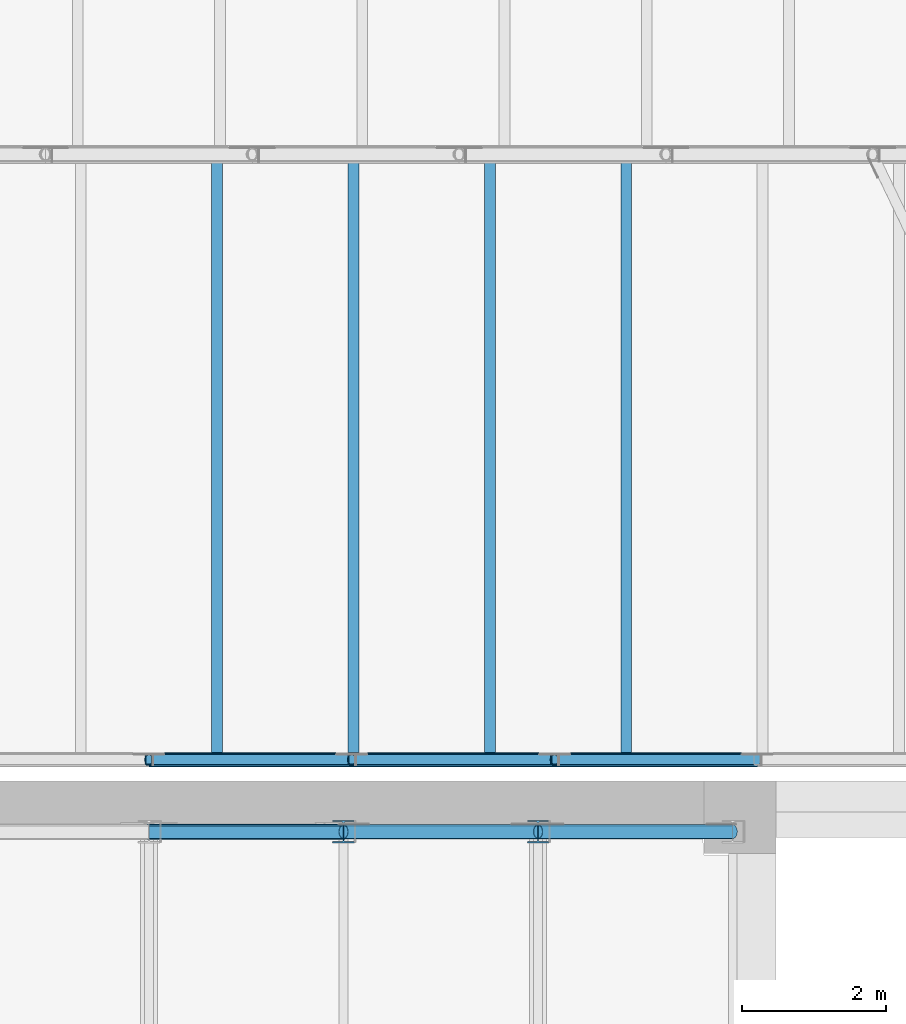
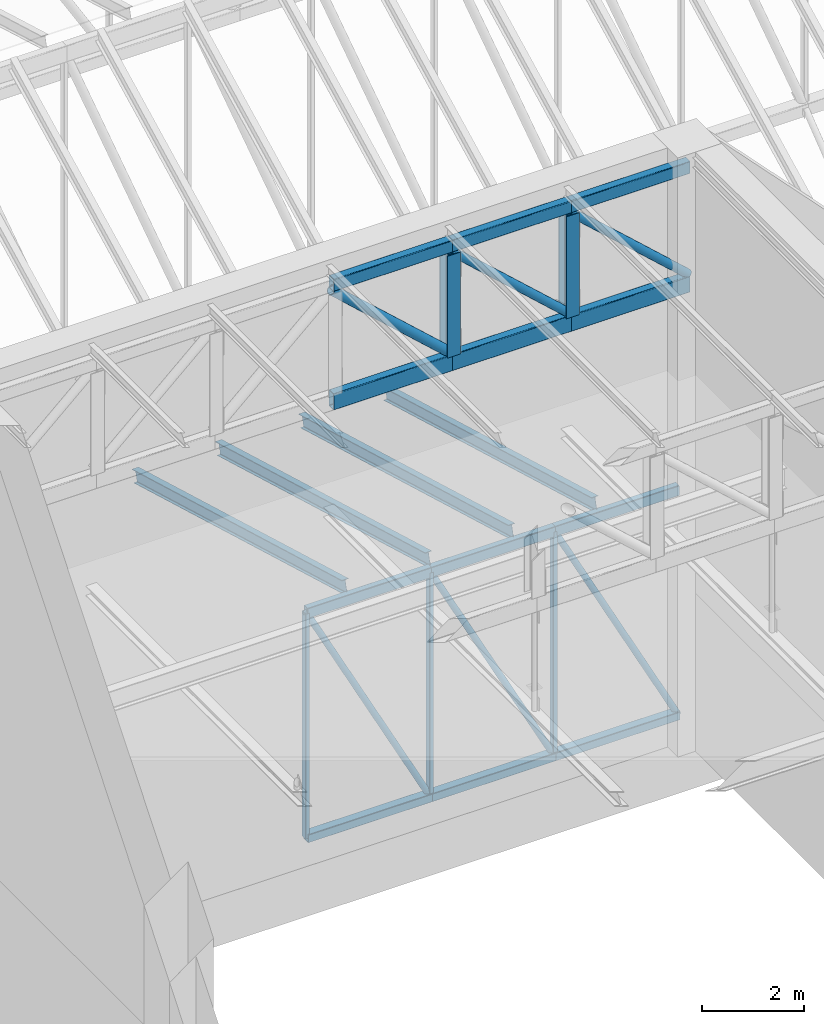
# One storey, part 12 of 68: 15 members, 12 beams.
"""IFC4 building model written with IfcOpenShell, lengths in metres."""

from ifc_helpers import new_model, si_unit, direction, frame, origin, origin_2d, place, context, subcontext, project, spatial, hollow_rectangle, hollow_circle, i_section, extrude, material, material_profile, profile_set, type_object, element, save


model = new_model("IFC4")

# Units and contexts
model_context = context("Model", 3, precision=1e-05, world=origin(), true_north=direction((0.0, 1.0)))
body_context = subcontext(model_context, "Body", "Model", "MODEL_VIEW")
ifc_project = project(units=[si_unit("LENGTHUNIT", "METRE"), si_unit("AREAUNIT", "SQUARE_METRE"), si_unit("VOLUMEUNIT", "CUBIC_METRE"), si_unit("PLANEANGLEUNIT", "RADIAN"), si_unit("MASSUNIT", "GRAM", prefix="KILO")], contexts=[model_context])

# Site, building, storey
site_placement = place(None, origin())
site = spatial("IfcSite", under=ifc_project, at=site_placement, CompositionType="ELEMENT")
building_placement = place(site_placement, origin())
building = spatial("IfcBuilding", under=site, at=building_placement, Name="Larchfold Concert Hall", CompositionType="ELEMENT")
storey_placement = place(building_placement, frame((0.0, 0.0, 28.800048828125)))
storey = spatial("IfcBuildingStorey", under=building, at=storey_placement, Name="L06", CompositionType="ELEMENT", Elevation=28.800048828125)

# Members
ifc_material_1 = material(Name="Steel S355", Category="steel")
ifc_material_profile_1 = material_profile(ifc_material_1, i_section(OverallWidth=0.14990234375, OverallDepth=0.300048828125, WebThickness=0.007080078125, FlangeThickness=0.0107421875, FilletRadius=0.014892578125, at=origin_2d()))
ifc_profile_set_1 = profile_set([ifc_material_profile_1], Name="Steel S355")
member_type_1 = type_object("IfcMemberType", Name="Rafter IPE 300", PredefinedType="RAFTER", material=ifc_profile_set_1)
for number, where, z_axis, x_axis, name in (
    (1, (43.54638671875, 60.054931640625, 5.646240234375), (0.0, 0.962273331526, -0.272084610799), (-1.0, 0.0, 0.0), "Member RF0010"),
    (2, (45.43896484375, 60.054931640625, 5.646240234375), (0.0, 0.962273331526, -0.272084610799), (-1.0, 0.0, 0.0), "Member RF0011"),
    (3, (47.331298828125, 60.054931640625, 5.646240234375), (0.0, 0.962273331526, -0.272084610799), (-1.0, 0.0, 0.0), "Member RF0012"),
    (4, (49.223876953125, 60.054931640625, 5.646240234375), (0.0, 0.962273331526, -0.272084610799), (-1.0, 0.0, 0.0), "Member RF0013"),
):
    element("IfcMember", number, at=place(storey_placement, frame(where, z_axis=z_axis, x_axis=x_axis)), inside=storey, type_object=member_type_1, Name=name, PredefinedType="RAFTER", context=body_context, shape_type="SweptSolid", body=[
        extrude(i_section(OverallWidth=0.14990234375, OverallDepth=0.300048828125, WebThickness=0.007080078125, FlangeThickness=0.0107421875, FilletRadius=0.014892578125, at=origin_2d()), origin(), (0.0, 0.0, 1.0), 8.5888671875),
    ])

# Beams
ifc_material_2 = material(Name="Steel S355J2H", Category="steel")
ifc_material_profile_2 = material_profile(ifc_material_2, hollow_rectangle(XDim=0.14990234375, YDim=0.25, WallThickness=0.010009765625, InnerFilletRadius=0.010009765625, OuterFilletRadius=0.02001953125, at=origin_2d()))
ifc_profile_set_2 = profile_set([ifc_material_profile_2], Name="Steel S355J2H")
beam_type_1 = type_object("IfcBeamType", Name="Truss chord RHS 250x150x10", PredefinedType="BEAM", material=ifc_profile_set_2)
for number, where, z_axis, x_axis, name in (
    (5, (42.60009765625, 60.0, 5.39990234375), (1.0, 0.0, 0.0), (0.0, 1.0, 0.0), "Beam FT1T07"),
    (6, (45.41455078125, 60.0, 5.39990234375), (1.0, 0.0, 0.0), (0.0, 1.0, 0.0), "Beam FT1T08"),
    (7, (48.22900390625, 60.0, 5.39990234375), (1.0, 0.0, 0.0), (0.0, 1.0, 0.0), "Beam FT1T09"),
):
    element("IfcBeam", number, at=place(storey_placement, frame(where, z_axis=z_axis, x_axis=x_axis)), inside=storey, type_object=beam_type_1, Name=name, PredefinedType="BEAM", context=body_context, shape_type="SweptSolid", body=[
        extrude(hollow_rectangle(XDim=0.14990234375, YDim=0.25, WallThickness=0.010009765625, InnerFilletRadius=0.010009765625, OuterFilletRadius=0.02001953125, at=origin_2d()), origin(), (0.0, 0.0, 1.0), 2.814453125),
    ])
ifc_material_3 = material(Name="Steel S355J2H", Category="steel")
ifc_material_profile_3 = material_profile(ifc_material_3, hollow_rectangle(XDim=0.199951171875, YDim=0.300048828125, WallThickness=0.012451171875, InnerFilletRadius=0.018798828125, OuterFilletRadius=0.03125, at=origin_2d()))
ifc_profile_set_3 = profile_set([ifc_material_profile_3], Name="Steel S355J2H")
beam_type_2 = type_object("IfcBeamType", Name="Truss chord RHS 300x200x12.5", PredefinedType="BEAM", material=ifc_profile_set_3)
for number, where, z_axis, x_axis, name in (
    (8, (42.60009765625, 59.0, 13.89990234375), (1.0, 0.0, 0.0), (0.0, 1.0, 0.0), "Beam SR4T04"),
    (9, (45.300048828125, 59.0, 13.89990234375), (1.0, 0.0, 0.0), (0.0, 1.0, 0.0), "Beam SR4T05"),
    (10, (48.0, 59.0, 13.89990234375), (1.0, 0.0, 0.0), (0.0, 1.0, 0.0), "Beam SR4T06"),
):
    element("IfcBeam", number, at=place(storey_placement, frame(where, z_axis=z_axis, x_axis=x_axis)), inside=storey, type_object=beam_type_2, Name=name, PredefinedType="BEAM", context=body_context, shape_type="SweptSolid", body=[
        extrude(hollow_rectangle(XDim=0.199951171875, YDim=0.300048828125, WallThickness=0.012451171875, InnerFilletRadius=0.018798828125, OuterFilletRadius=0.03125, at=origin_2d()), origin(), (0.0, 0.0, 1.0), 2.699951171875),
    ])
ifc_material_4 = material(Name="Steel S355J2H", Category="steel")
ifc_material_profile_4 = material_profile(ifc_material_4, hollow_rectangle(XDim=0.199951171875, YDim=0.39990234375, WallThickness=0.012451171875, InnerFilletRadius=0.018798828125, OuterFilletRadius=0.03125, at=origin_2d()))
ifc_profile_set_4 = profile_set([ifc_material_profile_4], Name="Steel S355J2H")
beam_type_3 = type_object("IfcBeamType", Name="Truss chord RHS 400x200x12.5", PredefinedType="BEAM", material=ifc_profile_set_4)
for number, where, z_axis, x_axis, name in (
    (11, (42.60009765625, 59.0, 11.099853515625), (1.0, 0.0, 0.0), (0.0, 1.0, 0.0), "Beam SR4B04"),
    (12, (45.300048828125, 59.0, 11.099853515625), (1.0, 0.0, 0.0), (0.0, 1.0, 0.0), "Beam SR4B05"),
    (13, (48.0, 59.0, 11.099853515625), (1.0, 0.0, 0.0), (0.0, 1.0, 0.0), "Beam SR4B06"),
):
    element("IfcBeam", number, at=place(storey_placement, frame(where, z_axis=z_axis, x_axis=x_axis)), inside=storey, type_object=beam_type_3, Name=name, PredefinedType="BEAM", context=body_context, shape_type="SweptSolid", body=[
        extrude(hollow_rectangle(XDim=0.199951171875, YDim=0.39990234375, WallThickness=0.012451171875, InnerFilletRadius=0.018798828125, OuterFilletRadius=0.03125, at=origin_2d()), origin(), (0.0, 0.0, 1.0), 2.699951171875),
    ])

# Members
ifc_material_5 = material(Name="Steel S355", Category="steel")
ifc_material_profile_5 = material_profile(ifc_material_5, i_section(OverallWidth=0.300048828125, OverallDepth=0.31005859375, WebThickness=0.009033203125, FlangeThickness=0.015380859375, FilletRadius=0.027099609375, at=origin_2d()))
ifc_profile_set_5 = profile_set([ifc_material_profile_5], Name="Steel S355")
member_type_2 = type_object("IfcMemberType", Name="Truss post HEA 320", PredefinedType="POST", material=ifc_profile_set_5)
for number, where, z_axis, x_axis, name in (
    (14, (45.300048828125, 59.0, 11.300048828125), (0.0, 0.0, 1.0), (1.0, 0.0, 0.0), "Member SR4V05"),
    (15, (48.0, 59.0, 11.300048828125), (0.0, 0.0, 1.0), (1.0, 0.0, 0.0), "Member SR4V06"),
):
    element("IfcMember", number, at=place(storey_placement, frame(where, z_axis=z_axis, x_axis=x_axis)), inside=storey, type_object=member_type_2, Name=name, PredefinedType="POST", context=body_context, shape_type="SweptSolid", body=[
        extrude(i_section(OverallWidth=0.300048828125, OverallDepth=0.31005859375, WebThickness=0.009033203125, FlangeThickness=0.015380859375, FilletRadius=0.027099609375, at=origin_2d()), origin(), (0.0, 0.0, 1.0), 2.449951171875),
    ])
ifc_material_6 = material(Name="Steel S355J2H", Category="steel")
ifc_material_profile_6 = material_profile(ifc_material_6, hollow_rectangle(XDim=0.10009765625, YDim=0.14990234375, WallThickness=0.008056640625, InnerFilletRadius=0.008056640625, OuterFilletRadius=0.01611328125, at=origin_2d()))
ifc_profile_set_6 = profile_set([ifc_material_profile_6], Name="Steel S355J2H")
member_type_3 = type_object("IfcMemberType", Name="Truss post RHS 150x100x8", PredefinedType="POST", material=ifc_profile_set_6)
for number, where, z_axis, x_axis, name in (
    (16, (42.60009765625, 60.0, 5.39990234375), (0.0, 0.0, -1.0), (1.0, 0.0, 0.0), "Member FT1V07"),
    (17, (45.41455078125, 60.0, 5.39990234375), (0.0, 0.0, -1.0), (1.0, 0.0, 0.0), "Member FT1V08"),
    (18, (48.22900390625, 60.0, 5.39990234375), (0.0, 0.0, -1.0), (1.0, 0.0, 0.0), "Member FT1V09"),
):
    element("IfcMember", number, at=place(storey_placement, frame(where, z_axis=z_axis, x_axis=x_axis)), inside=storey, type_object=member_type_3, Name=name, PredefinedType="POST", context=body_context, shape_type="SweptSolid", body=[
        extrude(hollow_rectangle(XDim=0.10009765625, YDim=0.14990234375, WallThickness=0.008056640625, InnerFilletRadius=0.008056640625, OuterFilletRadius=0.01611328125, at=origin_2d()), origin(), (0.0, 0.0, 1.0), 5.39990234375),
    ])

# Beams
ifc_material_7 = material(Name="Steel S355J2H", Category="steel")
ifc_material_profile_7 = material_profile(ifc_material_7, hollow_rectangle(XDim=0.199951171875, YDim=0.199951171875, WallThickness=0.010009765625, InnerFilletRadius=0.010009765625, OuterFilletRadius=0.02001953125, at=origin_2d()))
ifc_profile_set_7 = profile_set([ifc_material_profile_7], Name="Steel S355J2H")
beam_type_4 = type_object("IfcBeamType", Name="Truss tie SHS 200x200x10", PredefinedType="BEAM", material=ifc_profile_set_7)
for number, where, z_axis, x_axis, name in (
    (19, (42.60009765625, 60.0, 0.0), (1.0, 0.0, 0.0), (0.0, 1.0, 0.0), "Beam FT1B07"),
    (20, (45.41455078125, 60.0, 0.0), (1.0, 0.0, 0.0), (0.0, 1.0, 0.0), "Beam FT1B08"),
    (21, (48.22900390625, 60.0, 0.0), (1.0, 0.0, 0.0), (0.0, 1.0, 0.0), "Beam FT1B09"),
):
    element("IfcBeam", number, at=place(storey_placement, frame(where, z_axis=z_axis, x_axis=x_axis)), inside=storey, type_object=beam_type_4, Name=name, PredefinedType="BEAM", context=body_context, shape_type="SweptSolid", body=[
        extrude(hollow_rectangle(XDim=0.199951171875, YDim=0.199951171875, WallThickness=0.010009765625, InnerFilletRadius=0.010009765625, OuterFilletRadius=0.02001953125, at=origin_2d()), origin(), (0.0, 0.0, 1.0), 2.814453125),
    ])

# Members
ifc_material_8 = material(Name="Steel S355J2H", Category="steel")
ifc_material_profile_8 = material_profile(ifc_material_8, hollow_circle(Radius=0.06982421875, WallThickness=0.00634765625, at=origin_2d()))
ifc_profile_set_8 = profile_set([ifc_material_profile_8], Name="Steel S355J2H")
member_type_4 = type_object("IfcMemberType", Name="Truss web CHS 139.7x6.3", PredefinedType="BRACE", material=ifc_profile_set_8)
for number, where, z_axis, x_axis, name in (
    (22, (42.60009765625, 60.0, 5.39990234375), (0.462193272746, 0.0, -0.886779216394), (0.0, 1.0, 0.0), "Member FT1D07"),
    (23, (45.41455078125, 60.0, 5.39990234375), (0.462193272746, 0.0, -0.886779216394), (0.0, 1.0, 0.0), "Member FT1D08"),
    (24, (48.22900390625, 60.0, 5.39990234375), (0.462193272746, 0.0, -0.886779216394), (0.0, 1.0, 0.0), "Member FT1D09"),
):
    element("IfcMember", number, at=place(storey_placement, frame(where, z_axis=z_axis, x_axis=x_axis)), inside=storey, type_object=member_type_4, Name=name, PredefinedType="BRACE", context=body_context, shape_type="SweptSolid", body=[
        extrude(hollow_circle(Radius=0.06982421875, WallThickness=0.00634765625, at=origin_2d()), origin(), (0.0, 0.0, 1.0), 6.08935546875),
    ])
ifc_material_9 = material(Name="Steel S355J2H", Category="steel")
ifc_material_profile_9 = material_profile(ifc_material_9, hollow_circle(Radius=0.096923828125, WallThickness=0.008056640625, at=origin_2d()))
ifc_profile_set_9 = profile_set([ifc_material_profile_9], Name="Steel S355J2H")
member_type_5 = type_object("IfcMemberType", Name="Truss web CHS 193.7x8", PredefinedType="BRACE", material=ifc_profile_set_9)
for number, where, z_axis, x_axis, name in (
    (25, (45.300048828125, 59.0, 13.75), (0.740560922263, 0.0, -0.671989226414), (0.0, 1.0, 0.0), "Member SR4D05"),
    (26, (48.0, 59.0, 13.75), (0.740560922263, 0.0, -0.671989226414), (0.0, 1.0, 0.0), "Member SR4D06"),
):
    element("IfcMember", number, at=place(storey_placement, frame(where, z_axis=z_axis, x_axis=x_axis)), inside=storey, type_object=member_type_5, Name=name, PredefinedType="BRACE", context=body_context, shape_type="SweptSolid", body=[
        extrude(hollow_circle(Radius=0.096923828125, WallThickness=0.008056640625, at=origin_2d()), origin(), (0.0, 0.0, 1.0), 3.645751953125),
    ])
ifc_material_10 = material(Name="Steel S355J2H", Category="steel")
ifc_material_profile_10 = material_profile(ifc_material_10, hollow_circle(Radius=0.109619140625, WallThickness=0.010009765625, at=origin_2d()))
ifc_profile_set_10 = profile_set([ifc_material_profile_10], Name="Steel S355J2H")
member_type_6 = type_object("IfcMemberType", Name="Truss web CHS 219.1x10", PredefinedType="BRACE", material=ifc_profile_set_10)
member_placement = place(storey_placement, frame((42.60009765625, 59.0, 13.75), z_axis=(0.740560922263, 0.0, -0.671989226414), x_axis=(0.0, 1.0, 0.0)))
element("IfcMember", 27, at=member_placement, inside=storey, type_object=member_type_6, Name="Member SR4D04", PredefinedType="BRACE", context=body_context, shape_type="SweptSolid", body=[
    extrude(hollow_circle(Radius=0.109619140625, WallThickness=0.010009765625, at=origin_2d()), origin(), (0.0, 0.0, 1.0), 3.645751953125),
])

save(model, "model.ifc")
